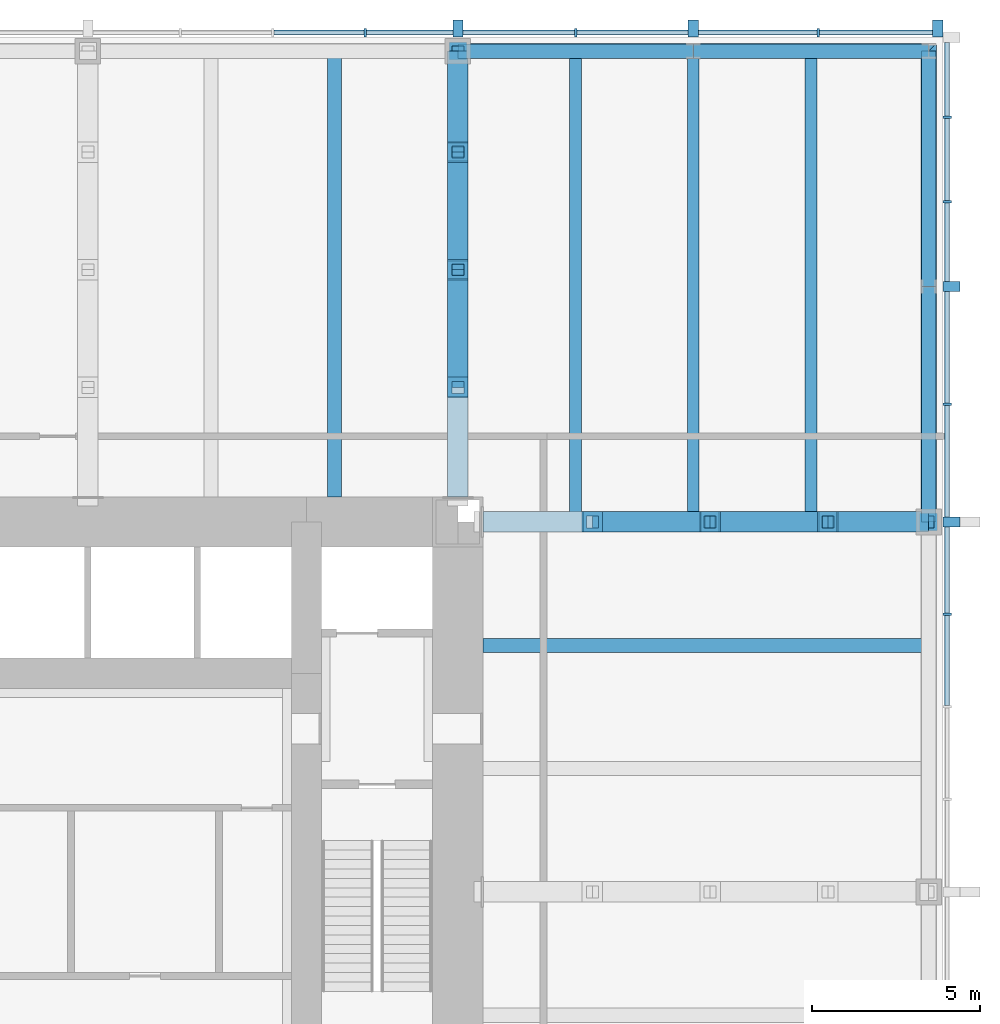
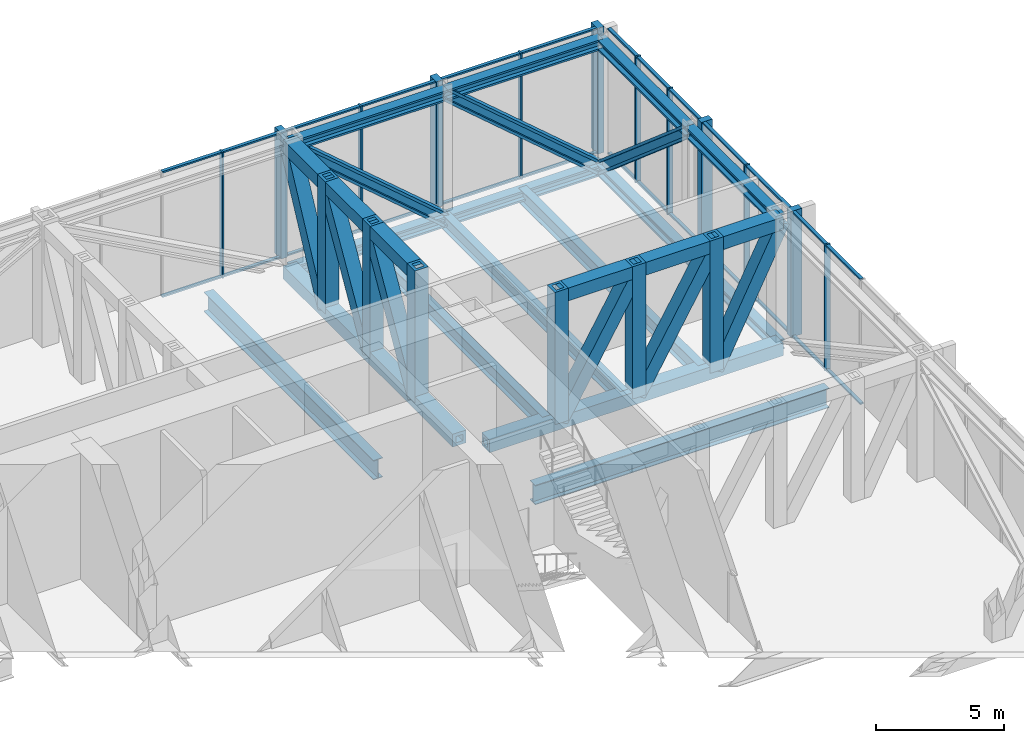
# One storey, part 9 of 13: 54 members, 21 beams, 2 elements without a shape of their own.
"""IFC4 building model written with IfcOpenShell, lengths in metres."""

from ifc_helpers import new_model, si_unit, direction, frame, origin, origin_2d, place, context, subcontext, project, spatial, rectangle, hollow_rectangle, i_section, extrude, material, material_profile, profile_set, type_object, element, aggregate, save


model = new_model("IFC4")

# Units and contexts
model_context = context("Model", 3, precision=1e-05, world=origin(), true_north=direction((0.0, 1.0)))
body_context = subcontext(model_context, "Body", "Model", "MODEL_VIEW")
ifc_project = project(units=[si_unit("LENGTHUNIT", "METRE"), si_unit("AREAUNIT", "SQUARE_METRE"), si_unit("VOLUMEUNIT", "CUBIC_METRE"), si_unit("PLANEANGLEUNIT", "RADIAN"), si_unit("MASSUNIT", "GRAM", prefix="KILO")], contexts=[model_context])

# Site, building, storey
site_placement = place(None, origin())
site = spatial("IfcSite", under=ifc_project, at=site_placement, CompositionType="ELEMENT")
building_placement = place(site_placement, origin())
building = spatial("IfcBuilding", under=site, at=building_placement, Name="Trevanion Tower", CompositionType="ELEMENT")
storey_placement = place(building_placement, frame((0.0, 0.0, 89.800048828125)))
storey = spatial("IfcBuildingStorey", under=building, at=storey_placement, Name="L21", CompositionType="ELEMENT", Elevation=89.800048828125)

# Beams
ifc_material_1 = material(Name="Steel ASTM A992 Grade 50", Category="steel")
ifc_material_profile_1 = material_profile(ifc_material_1, i_section(OverallWidth=0.419189453125, OverallDepth=0.927001953125, WebThickness=0.019287109375, FlangeThickness=0.031982421875, at=origin_2d()), Name="W36X231")
ifc_profile_set_1 = profile_set([ifc_material_profile_1], Name="Steel ASTM A992 Grade 50")
beam_type_1 = type_object("IfcBeamType", Name="B5 W36X231", PredefinedType="BEAM", material=ifc_profile_set_1)
for number, where, z_axis, x_axis, name in (
    (1, (11.75, 7.333251953125, -0.653564453125), (1.0, 0.0, 0.0), (0.0, 1.0, 0.0), "B5 L21"),
    (2, (7.333251953125, 11.75, -0.653564453125), (0.0, 1.0, 0.0), (-1.0, 0.0, 0.0), "B5 L21"),
):
    element("IfcBeam", number, at=place(storey_placement, frame(where, z_axis=z_axis, x_axis=x_axis)), inside=storey, type_object=beam_type_1, Name=name, PredefinedType="BEAM", context=body_context, shape_type="SweptSolid", body=[
        extrude(i_section(OverallWidth=0.419189453125, OverallDepth=0.927001953125, WebThickness=0.019287109375, FlangeThickness=0.031982421875, at=origin_2d()), origin(), (0.0, 0.0, 1.0), 13.25),
    ])
ifc_material_2 = material(Name="Steel ASTM A992 Grade 50", Category="steel")
ifc_material_profile_2 = material_profile(ifc_material_2, i_section(OverallWidth=0.355712890625, OverallDepth=0.696044921875, WebThickness=0.015380859375, FlangeThickness=0.024658203125, at=origin_2d()), Name="W27X146")
ifc_profile_set_2 = profile_set([ifc_material_profile_2], Name="Steel ASTM A992 Grade 50")
beam_type_2 = type_object("IfcBeamType", Name="B6 W27X146", PredefinedType="BEAM", material=ifc_profile_set_2)
for number, where, z_axis, x_axis, name in (
    (3, (14.5, 11.0, -0.5380859375), (0.0, 1.0, 0.0), (-1.0, 0.0, 0.0), "B6 L21"),
    (4, (18.0, 11.0, -0.5380859375), (0.0, 1.0, 0.0), (-1.0, 0.0, 0.0), "B6 L21"),
    (5, (21.5, 11.0, -0.5380859375), (0.0, 1.0, 0.0), (-1.0, 0.0, 0.0), "B6 L21"),
):
    element("IfcBeam", number, at=place(storey_placement, frame(where, z_axis=z_axis, x_axis=x_axis)), inside=storey, type_object=beam_type_2, Name=name, PredefinedType="BEAM", context=body_context, shape_type="SweptSolid", body=[
        extrude(i_section(OverallWidth=0.355712890625, OverallDepth=0.696044921875, WebThickness=0.015380859375, FlangeThickness=0.024658203125, at=origin_2d()), origin(), (0.0, 0.0, 1.0), 14.0),
    ])
ifc_material_3 = material(Name="Steel ASTM A992 Grade 50", Category="steel")
ifc_material_profile_3 = material_profile(ifc_material_3, i_section(OverallWidth=0.431884765625, OverallDepth=0.497802734375, WebThickness=0.0556640625, FlangeThickness=0.0888671875, at=origin_2d()), Name="W14X500")
ifc_profile_set_3 = profile_set([ifc_material_profile_3], Name="Steel ASTM A992 Grade 50")
beam_type_3 = type_object("IfcBeamType", Name="BT1-CH W14X500", PredefinedType="BEAM", material=ifc_profile_set_3)
for number, where, z_axis, x_axis, name in (
    (6, (25.0, 11.0, -0.494873046875), (0.0, 1.0, 0.0), (-1.0, 0.0, 0.0), "BT1 belt truss chord"),
    (7, (25.0, 11.0, 5.505126953125), (0.0, 1.0, 0.0), (-1.0, 0.0, 0.0), "BT1 belt truss chord"),
    (8, (25.0, 18.0, -0.494873046875), (0.0, 1.0, 0.0), (-1.0, 0.0, 0.0), "BT1 belt truss chord"),
    (9, (25.0, 18.0, 5.505126953125), (0.0, 1.0, 0.0), (-1.0, 0.0, 0.0), "BT1 belt truss chord"),
    (10, (25.0, 25.0, -0.494873046875), (-1.0, 0.0, 0.0), (0.0, -1.0, 0.0), "BT1 belt truss chord"),
    (11, (25.0, 25.0, 5.505126953125), (-1.0, 0.0, 0.0), (0.0, -1.0, 0.0), "BT1 belt truss chord"),
    (12, (18.0, 25.0, -0.494873046875), (-1.0, 0.0, 0.0), (0.0, -1.0, 0.0), "BT1 belt truss chord"),
    (13, (18.0, 25.0, 5.505126953125), (-1.0, 0.0, 0.0), (0.0, -1.0, 0.0), "BT1 belt truss chord"),
):
    element("IfcBeam", number, at=place(storey_placement, frame(where, z_axis=z_axis, x_axis=x_axis)), inside=storey, type_object=beam_type_3, Name=name, PredefinedType="BEAM", context=body_context, shape_type="SweptSolid", body=[
        extrude(i_section(OverallWidth=0.431884765625, OverallDepth=0.497802734375, WebThickness=0.0556640625, FlangeThickness=0.0888671875, at=origin_2d()), origin(), (0.0, 0.0, 1.0), 7.0),
    ])

# Members
ifc_material_4 = material(Name="Steel ASTM A992 Grade 50", Category="steel")
ifc_material_profile_4 = material_profile(ifc_material_4, i_section(OverallWidth=0.449462890625, OverallDepth=0.548583984375, WebThickness=0.07177734375, FlangeThickness=0.11474609375, at=origin_2d()), Name="W14X665")
ifc_profile_set_4 = profile_set([ifc_material_profile_4], Name="Steel ASTM A992 Grade 50")
member_type_1 = type_object("IfcMemberType", Name="BT1-D W14X665", PredefinedType="BRACE", material=ifc_profile_set_4)
for number, where, z_axis, x_axis, name in (
    (14, (25.0, 18.0, -0.494873046875), (0.0, -0.759256602365, 0.650791373456), (1.0, 0.0, 0.0), "BT1 belt truss diagonal"),
    (15, (25.0, 25.0, -0.494873046875), (0.0, -0.759256602365, 0.650791373456), (1.0, 0.0, 0.0), "BT1 belt truss diagonal"),
    (16, (25.0, 25.0, -0.494873046875), (-0.759256602365, 0.0, 0.650791373456), (0.0, -1.0, 0.0), "BT1 belt truss diagonal"),
    (17, (18.0, 25.0, -0.494873046875), (-0.759256602365, 0.0, 0.650791373456), (0.0, -1.0, 0.0), "BT1 belt truss diagonal"),
):
    element("IfcMember", number, at=place(storey_placement, frame(where, z_axis=z_axis, x_axis=x_axis)), inside=storey, type_object=member_type_1, Name=name, PredefinedType="BRACE", context=body_context, shape_type="SweptSolid", body=[
        extrude(i_section(OverallWidth=0.449462890625, OverallDepth=0.548583984375, WebThickness=0.07177734375, FlangeThickness=0.11474609375, at=origin_2d()), origin(), (0.0, 0.0, 1.0), 9.219482421875),
    ])

# Curtain wall, members
ifc_material_5 = material(Name="Aluminium louvres", Category="aluminium")
curtain_wall_type = type_object("IfcCurtainWallType", Name="CWL curtain wall", PredefinedType="USERDEFINED", material=ifc_material_5)
curtain_wall_1_placement = place(storey_placement, origin())
curtain_wall_1 = element("IfcCurtainWall", 18, at=curtain_wall_1_placement, inside=storey, type_object=curtain_wall_type, Name="CWL L21 0", ObjectType="LOUVRE SCREEN", PredefinedType="USERDEFINED")
ifc_material_6 = material(Name="Aluminium extrusion, anodised bronze", Category="aluminium")
ifc_material_profile_5 = material_profile(ifc_material_6, rectangle(XDim=0.074951171875, YDim=0.25, at=origin_2d()), Name="CWL mullion")
ifc_profile_set_5 = profile_set([ifc_material_profile_5], Name="Aluminium extrusion, anodised bronze")
member_type_2 = type_object("IfcMemberType", Name="CWL mullion", PredefinedType="MULLION", material=ifc_profile_set_5)
member_1_placement = place(storey_placement, frame((25.550048828125, 8.25, -0.18994140625), z_axis=(0.0, 0.0, 1.0), x_axis=(0.0, 1.0, 0.0)))
member_1 = element("IfcMember", 19, at=member_1_placement, type_object=member_type_2, Name="CWL mullion 12", PredefinedType="MULLION", context=body_context, shape_type="SweptSolid", body=[
    extrude(rectangle(XDim=0.074951171875, YDim=0.25, at=origin_2d()), origin(), (0.0, 0.0, 1.0), 6.0),
])
member_2_placement = place(storey_placement, frame((25.550048828125, 14.5, -0.18994140625), z_axis=(0.0, 0.0, 1.0), x_axis=(0.0, 1.0, 0.0)))
member_2 = element("IfcMember", 20, at=member_2_placement, type_object=member_type_2, Name="CWL mullion 14", PredefinedType="MULLION", context=body_context, shape_type="SweptSolid", body=[
    extrude(rectangle(XDim=0.074951171875, YDim=0.25, at=origin_2d()), origin(), (0.0, 0.0, 1.0), 6.0),
])
member_3_placement = place(storey_placement, frame((25.550048828125, 20.5166015625, -0.18994140625), z_axis=(0.0, 0.0, 1.0), x_axis=(0.0, 1.0, 0.0)))
member_3 = element("IfcMember", 21, at=member_3_placement, type_object=member_type_2, Name="CWL mullion 16", PredefinedType="MULLION", context=body_context, shape_type="SweptSolid", body=[
    extrude(rectangle(XDim=0.074951171875, YDim=0.25, at=origin_2d()), origin(), (0.0, 0.0, 1.0), 6.0),
])
member_4_placement = place(storey_placement, frame((25.550048828125, 23.033203125, -0.18994140625), z_axis=(0.0, 0.0, 1.0), x_axis=(0.0, 1.0, 0.0)))
member_4 = element("IfcMember", 22, at=member_4_placement, type_object=member_type_2, Name="CWL mullion 17", PredefinedType="MULLION", context=body_context, shape_type="SweptSolid", body=[
    extrude(rectangle(XDim=0.074951171875, YDim=0.25, at=origin_2d()), origin(), (0.0, 0.0, 1.0), 6.0),
])

curtain_wall_2_placement = place(storey_placement, origin())
curtain_wall_2 = element("IfcCurtainWall", 23, at=curtain_wall_2_placement, inside=storey, type_object=curtain_wall_type, Name="CWL L21 1", ObjectType="LOUVRE SCREEN", PredefinedType="USERDEFINED")
member_5_placement = place(storey_placement, frame((21.7099609375, 25.550048828125, -0.18994140625), z_axis=(0.0, 0.0, 1.0), x_axis=(-1.0, 0.0, 0.0)))
member_5 = element("IfcMember", 24, at=member_5_placement, type_object=member_type_2, Name="CWL mullion 2", PredefinedType="MULLION", context=body_context, shape_type="SweptSolid", body=[
    extrude(rectangle(XDim=0.074951171875, YDim=0.25, at=origin_2d()), origin(), (0.0, 0.0, 1.0), 6.0),
])
member_6_placement = place(storey_placement, frame((14.5, 25.550048828125, -0.18994140625), z_axis=(0.0, 0.0, 1.0), x_axis=(-1.0, 0.0, 0.0)))
member_6 = element("IfcMember", 25, at=member_6_placement, type_object=member_type_2, Name="CWL mullion 4", PredefinedType="MULLION", context=body_context, shape_type="SweptSolid", body=[
    extrude(rectangle(XDim=0.074951171875, YDim=0.25, at=origin_2d()), origin(), (0.0, 0.0, 1.0), 6.0),
])
member_7_placement = place(storey_placement, frame((8.25, 25.550048828125, -0.18994140625), z_axis=(0.0, 0.0, 1.0), x_axis=(-1.0, 0.0, 0.0)))
member_7 = element("IfcMember", 26, at=member_7_placement, type_object=member_type_2, Name="CWL mullion 6", PredefinedType="MULLION", context=body_context, shape_type="SweptSolid", body=[
    extrude(rectangle(XDim=0.074951171875, YDim=0.25, at=origin_2d()), origin(), (0.0, 0.0, 1.0), 6.0),
])

# Member
ifc_material_7 = material(Name="Aluminium extrusion, anodised bronze", Category="aluminium")
ifc_material_profile_6 = material_profile(ifc_material_7, rectangle(XDim=0.300048828125, YDim=0.5, at=origin_2d()), Name="CWL pier mullion")
ifc_profile_set_6 = profile_set([ifc_material_profile_6], Name="Aluminium extrusion, anodised bronze")
member_type_3 = type_object("IfcMemberType", Name="CWL pier mullion", PredefinedType="MULLION", material=ifc_profile_set_6)
member_8_placement = place(storey_placement, frame((25.675048828125, 11.0, -0.18994140625), z_axis=(0.0, 0.0, 1.0), x_axis=(0.0, 1.0, 0.0)))
member_8 = element("IfcMember", 27, at=member_8_placement, type_object=member_type_3, Name="CWL pier mullion 13", PredefinedType="MULLION", context=body_context, shape_type="SweptSolid", body=[
    extrude(rectangle(XDim=0.300048828125, YDim=0.5, at=origin_2d()), origin(), (0.0, 0.0, 1.0), 6.0),
])

member_9_placement = place(storey_placement, frame((25.675048828125, 18.0, -0.18994140625), z_axis=(0.0, 0.0, 1.0), x_axis=(0.0, 1.0, 0.0)))
member_9 = element("IfcMember", 28, at=member_9_placement, type_object=member_type_3, Name="CWL pier mullion 15", PredefinedType="MULLION", context=body_context, shape_type="SweptSolid", body=[
    extrude(rectangle(XDim=0.300048828125, YDim=0.5, at=origin_2d()), origin(), (0.0, 0.0, 1.0), 6.0),
])

member_10_placement = place(storey_placement, frame((25.27001953125, 25.675048828125, -0.18994140625), z_axis=(0.0, 0.0, 1.0), x_axis=(-1.0, 0.0, 0.0)))
member_10 = element("IfcMember", 29, at=member_10_placement, type_object=member_type_3, Name="CWL pier mullion 1", PredefinedType="MULLION", context=body_context, shape_type="SweptSolid", body=[
    extrude(rectangle(XDim=0.300048828125, YDim=0.5, at=origin_2d()), origin(), (0.0, 0.0, 1.0), 6.0),
])

member_11_placement = place(storey_placement, frame((18.0, 25.675048828125, -0.18994140625), z_axis=(0.0, 0.0, 1.0), x_axis=(-1.0, 0.0, 0.0)))
member_11 = element("IfcMember", 30, at=member_11_placement, type_object=member_type_3, Name="CWL pier mullion 3", PredefinedType="MULLION", context=body_context, shape_type="SweptSolid", body=[
    extrude(rectangle(XDim=0.300048828125, YDim=0.5, at=origin_2d()), origin(), (0.0, 0.0, 1.0), 6.0),
])

member_12_placement = place(storey_placement, frame((11.0, 25.675048828125, -0.18994140625), z_axis=(0.0, 0.0, 1.0), x_axis=(-1.0, 0.0, 0.0)))
member_12 = element("IfcMember", 31, at=member_12_placement, type_object=member_type_3, Name="CWL pier mullion 5", PredefinedType="MULLION", context=body_context, shape_type="SweptSolid", body=[
    extrude(rectangle(XDim=0.300048828125, YDim=0.5, at=origin_2d()), origin(), (0.0, 0.0, 1.0), 6.0),
])

ifc_material_8 = material(Name="Aluminium extrusion, anodised bronze", Category="aluminium")
ifc_material_profile_7 = material_profile(ifc_material_8, rectangle(XDim=0.14990234375, YDim=0.074951171875, at=origin_2d()), Name="CWL transom")
ifc_profile_set_7 = profile_set([ifc_material_profile_7], Name="Aluminium extrusion, anodised bronze")
member_type_4 = type_object("IfcMemberType", Name="CWL transom", PredefinedType="USERDEFINED", material=ifc_profile_set_7)
member_13_placement = place(storey_placement, frame((25.550048828125, 5.53759765625, -0.152587890625), z_axis=(0.0, 1.0, 0.0), x_axis=(-1.0, 0.0, 0.0)))
member_13 = element("IfcMember", 32, at=member_13_placement, type_object=member_type_4, Name="CWL transom 11.1", ObjectType="TRANSOM", PredefinedType="USERDEFINED", context=body_context, shape_type="SweptSolid", body=[
    extrude(rectangle(XDim=0.14990234375, YDim=0.074951171875, at=origin_2d()), origin(), (0.0, 0.0, 1.0), 2.6748046875),
])

member_14_placement = place(storey_placement, frame((25.550048828125, 5.53759765625, 5.7724609375), z_axis=(0.0, 1.0, 0.0), x_axis=(-1.0, 0.0, 0.0)))
member_14 = element("IfcMember", 33, at=member_14_placement, type_object=member_type_4, Name="CWL transom 11.2", ObjectType="TRANSOM", PredefinedType="USERDEFINED", context=body_context, shape_type="SweptSolid", body=[
    extrude(rectangle(XDim=0.14990234375, YDim=0.074951171875, at=origin_2d()), origin(), (0.0, 0.0, 1.0), 2.6748046875),
])

member_15_placement = place(storey_placement, frame((25.550048828125, 8.28759765625, -0.152587890625), z_axis=(0.0, 1.0, 0.0), x_axis=(-1.0, 0.0, 0.0)))
member_15 = element("IfcMember", 34, at=member_15_placement, type_object=member_type_4, Name="CWL transom 12.1", ObjectType="TRANSOM", PredefinedType="USERDEFINED", context=body_context, shape_type="SweptSolid", body=[
    extrude(rectangle(XDim=0.14990234375, YDim=0.074951171875, at=origin_2d()), origin(), (0.0, 0.0, 1.0), 2.5625),
])

member_16_placement = place(storey_placement, frame((25.550048828125, 8.28759765625, 5.7724609375), z_axis=(0.0, 1.0, 0.0), x_axis=(-1.0, 0.0, 0.0)))
member_16 = element("IfcMember", 35, at=member_16_placement, type_object=member_type_4, Name="CWL transom 12.2", ObjectType="TRANSOM", PredefinedType="USERDEFINED", context=body_context, shape_type="SweptSolid", body=[
    extrude(rectangle(XDim=0.14990234375, YDim=0.074951171875, at=origin_2d()), origin(), (0.0, 0.0, 1.0), 2.5625),
])

member_17_placement = place(storey_placement, frame((25.550048828125, 11.14990234375, -0.152587890625), z_axis=(0.0, 1.0, 0.0), x_axis=(-1.0, 0.0, 0.0)))
member_17 = element("IfcMember", 36, at=member_17_placement, type_object=member_type_4, Name="CWL transom 13.1", ObjectType="TRANSOM", PredefinedType="USERDEFINED", context=body_context, shape_type="SweptSolid", body=[
    extrude(rectangle(XDim=0.14990234375, YDim=0.074951171875, at=origin_2d()), origin(), (0.0, 0.0, 1.0), 3.3125),
])

member_18_placement = place(storey_placement, frame((25.550048828125, 11.14990234375, 5.7724609375), z_axis=(0.0, 1.0, 0.0), x_axis=(-1.0, 0.0, 0.0)))
member_18 = element("IfcMember", 37, at=member_18_placement, type_object=member_type_4, Name="CWL transom 13.2", ObjectType="TRANSOM", PredefinedType="USERDEFINED", context=body_context, shape_type="SweptSolid", body=[
    extrude(rectangle(XDim=0.14990234375, YDim=0.074951171875, at=origin_2d()), origin(), (0.0, 0.0, 1.0), 3.3125),
])

member_19_placement = place(storey_placement, frame((25.550048828125, 14.53759765625, -0.152587890625), z_axis=(0.0, 1.0, 0.0), x_axis=(-1.0, 0.0, 0.0)))
member_19 = element("IfcMember", 38, at=member_19_placement, type_object=member_type_4, Name="CWL transom 14.1", ObjectType="TRANSOM", PredefinedType="USERDEFINED", context=body_context, shape_type="SweptSolid", body=[
    extrude(rectangle(XDim=0.14990234375, YDim=0.074951171875, at=origin_2d()), origin(), (0.0, 0.0, 1.0), 3.3125),
])

member_20_placement = place(storey_placement, frame((25.550048828125, 14.53759765625, 5.7724609375), z_axis=(0.0, 1.0, 0.0), x_axis=(-1.0, 0.0, 0.0)))
member_20 = element("IfcMember", 39, at=member_20_placement, type_object=member_type_4, Name="CWL transom 14.2", ObjectType="TRANSOM", PredefinedType="USERDEFINED", context=body_context, shape_type="SweptSolid", body=[
    extrude(rectangle(XDim=0.14990234375, YDim=0.074951171875, at=origin_2d()), origin(), (0.0, 0.0, 1.0), 3.3125),
])

member_21_placement = place(storey_placement, frame((25.550048828125, 18.14990234375, -0.152587890625), z_axis=(0.0, 1.0, 0.0), x_axis=(-1.0, 0.0, 0.0)))
member_21 = element("IfcMember", 40, at=member_21_placement, type_object=member_type_4, Name="CWL transom 15.1", ObjectType="TRANSOM", PredefinedType="USERDEFINED", context=body_context, shape_type="SweptSolid", body=[
    extrude(rectangle(XDim=0.14990234375, YDim=0.074951171875, at=origin_2d()), origin(), (0.0, 0.0, 1.0), 2.329345703125),
])

member_22_placement = place(storey_placement, frame((25.550048828125, 18.14990234375, 5.7724609375), z_axis=(0.0, 1.0, 0.0), x_axis=(-1.0, 0.0, 0.0)))
member_22 = element("IfcMember", 41, at=member_22_placement, type_object=member_type_4, Name="CWL transom 15.2", ObjectType="TRANSOM", PredefinedType="USERDEFINED", context=body_context, shape_type="SweptSolid", body=[
    extrude(rectangle(XDim=0.14990234375, YDim=0.074951171875, at=origin_2d()), origin(), (0.0, 0.0, 1.0), 2.329345703125),
])

member_23_placement = place(storey_placement, frame((25.550048828125, 20.55419921875, -0.152587890625), z_axis=(0.0, 1.0, 0.0), x_axis=(-1.0, 0.0, 0.0)))
member_23 = element("IfcMember", 42, at=member_23_placement, type_object=member_type_4, Name="CWL transom 16.1", ObjectType="TRANSOM", PredefinedType="USERDEFINED", context=body_context, shape_type="SweptSolid", body=[
    extrude(rectangle(XDim=0.14990234375, YDim=0.074951171875, at=origin_2d()), origin(), (0.0, 0.0, 1.0), 2.441650390625),
])

member_24_placement = place(storey_placement, frame((25.550048828125, 20.55419921875, 5.7724609375), z_axis=(0.0, 1.0, 0.0), x_axis=(-1.0, 0.0, 0.0)))
member_24 = element("IfcMember", 43, at=member_24_placement, type_object=member_type_4, Name="CWL transom 16.2", ObjectType="TRANSOM", PredefinedType="USERDEFINED", context=body_context, shape_type="SweptSolid", body=[
    extrude(rectangle(XDim=0.14990234375, YDim=0.074951171875, at=origin_2d()), origin(), (0.0, 0.0, 1.0), 2.441650390625),
])

member_25_placement = place(storey_placement, frame((25.550048828125, 23.07080078125, -0.152587890625), z_axis=(0.0, 1.0, 0.0), x_axis=(-1.0, 0.0, 0.0)))
member_25 = element("IfcMember", 44, at=member_25_placement, type_object=member_type_4, Name="CWL transom 17.1", ObjectType="TRANSOM", PredefinedType="USERDEFINED", context=body_context, shape_type="SweptSolid", body=[
    extrude(rectangle(XDim=0.14990234375, YDim=0.074951171875, at=origin_2d()), origin(), (0.0, 0.0, 1.0), 2.17919921875),
])

member_26_placement = place(storey_placement, frame((25.550048828125, 23.07080078125, 5.7724609375), z_axis=(0.0, 1.0, 0.0), x_axis=(-1.0, 0.0, 0.0)))
member_26 = element("IfcMember", 45, at=member_26_placement, type_object=member_type_4, Name="CWL transom 17.2", ObjectType="TRANSOM", PredefinedType="USERDEFINED", context=body_context, shape_type="SweptSolid", body=[
    extrude(rectangle(XDim=0.14990234375, YDim=0.074951171875, at=origin_2d()), origin(), (0.0, 0.0, 1.0), 2.17919921875),
])

aggregate(curtain_wall_1, [member_1, member_8, member_2, member_9, member_3, member_4, member_13, member_14, member_15, member_16, member_17, member_18, member_19, member_20, member_21, member_22, member_23, member_24, member_25, member_26])

member_27_placement = place(storey_placement, frame((25.1201171875, 25.550048828125, -0.152587890625), z_axis=(-1.0, 0.0, 0.0), x_axis=(0.0, -1.0, 0.0)))
member_27 = element("IfcMember", 46, at=member_27_placement, type_object=member_type_4, Name="CWL transom 1.1", ObjectType="TRANSOM", PredefinedType="USERDEFINED", context=body_context, shape_type="SweptSolid", body=[
    extrude(rectangle(XDim=0.14990234375, YDim=0.074951171875, at=origin_2d()), origin(), (0.0, 0.0, 1.0), 3.37255859375),
])

member_28_placement = place(storey_placement, frame((25.1201171875, 25.550048828125, 5.7724609375), z_axis=(-1.0, 0.0, 0.0), x_axis=(0.0, -1.0, 0.0)))
member_28 = element("IfcMember", 47, at=member_28_placement, type_object=member_type_4, Name="CWL transom 1.2", ObjectType="TRANSOM", PredefinedType="USERDEFINED", context=body_context, shape_type="SweptSolid", body=[
    extrude(rectangle(XDim=0.14990234375, YDim=0.074951171875, at=origin_2d()), origin(), (0.0, 0.0, 1.0), 3.37255859375),
])

member_29_placement = place(storey_placement, frame((21.672607421875, 25.550048828125, -0.152587890625), z_axis=(-1.0, 0.0, 0.0), x_axis=(0.0, -1.0, 0.0)))
member_29 = element("IfcMember", 48, at=member_29_placement, type_object=member_type_4, Name="CWL transom 2.1", ObjectType="TRANSOM", PredefinedType="USERDEFINED", context=body_context, shape_type="SweptSolid", body=[
    extrude(rectangle(XDim=0.14990234375, YDim=0.074951171875, at=origin_2d()), origin(), (0.0, 0.0, 1.0), 3.522705078125),
])

member_30_placement = place(storey_placement, frame((21.672607421875, 25.550048828125, 5.7724609375), z_axis=(-1.0, 0.0, 0.0), x_axis=(0.0, -1.0, 0.0)))
member_30 = element("IfcMember", 49, at=member_30_placement, type_object=member_type_4, Name="CWL transom 2.2", ObjectType="TRANSOM", PredefinedType="USERDEFINED", context=body_context, shape_type="SweptSolid", body=[
    extrude(rectangle(XDim=0.14990234375, YDim=0.074951171875, at=origin_2d()), origin(), (0.0, 0.0, 1.0), 3.522705078125),
])

member_31_placement = place(storey_placement, frame((17.85009765625, 25.550048828125, -0.152587890625), z_axis=(-1.0, 0.0, 0.0), x_axis=(0.0, -1.0, 0.0)))
member_31 = element("IfcMember", 50, at=member_31_placement, type_object=member_type_4, Name="CWL transom 3.1", ObjectType="TRANSOM", PredefinedType="USERDEFINED", context=body_context, shape_type="SweptSolid", body=[
    extrude(rectangle(XDim=0.14990234375, YDim=0.074951171875, at=origin_2d()), origin(), (0.0, 0.0, 1.0), 3.3125),
])

member_32_placement = place(storey_placement, frame((17.85009765625, 25.550048828125, 5.7724609375), z_axis=(-1.0, 0.0, 0.0), x_axis=(0.0, -1.0, 0.0)))
member_32 = element("IfcMember", 51, at=member_32_placement, type_object=member_type_4, Name="CWL transom 3.2", ObjectType="TRANSOM", PredefinedType="USERDEFINED", context=body_context, shape_type="SweptSolid", body=[
    extrude(rectangle(XDim=0.14990234375, YDim=0.074951171875, at=origin_2d()), origin(), (0.0, 0.0, 1.0), 3.3125),
])

member_33_placement = place(storey_placement, frame((14.46240234375, 25.550048828125, -0.152587890625), z_axis=(-1.0, 0.0, 0.0), x_axis=(0.0, -1.0, 0.0)))
member_33 = element("IfcMember", 52, at=member_33_placement, type_object=member_type_4, Name="CWL transom 4.1", ObjectType="TRANSOM", PredefinedType="USERDEFINED", context=body_context, shape_type="SweptSolid", body=[
    extrude(rectangle(XDim=0.14990234375, YDim=0.074951171875, at=origin_2d()), origin(), (0.0, 0.0, 1.0), 3.3125),
])

member_34_placement = place(storey_placement, frame((14.46240234375, 25.550048828125, 5.7724609375), z_axis=(-1.0, 0.0, 0.0), x_axis=(0.0, -1.0, 0.0)))
member_34 = element("IfcMember", 53, at=member_34_placement, type_object=member_type_4, Name="CWL transom 4.2", ObjectType="TRANSOM", PredefinedType="USERDEFINED", context=body_context, shape_type="SweptSolid", body=[
    extrude(rectangle(XDim=0.14990234375, YDim=0.074951171875, at=origin_2d()), origin(), (0.0, 0.0, 1.0), 3.3125),
])

member_35_placement = place(storey_placement, frame((10.85009765625, 25.550048828125, -0.152587890625), z_axis=(-1.0, 0.0, 0.0), x_axis=(0.0, -1.0, 0.0)))
member_35 = element("IfcMember", 54, at=member_35_placement, type_object=member_type_4, Name="CWL transom 5.1", ObjectType="TRANSOM", PredefinedType="USERDEFINED", context=body_context, shape_type="SweptSolid", body=[
    extrude(rectangle(XDim=0.14990234375, YDim=0.074951171875, at=origin_2d()), origin(), (0.0, 0.0, 1.0), 2.5625),
])

member_36_placement = place(storey_placement, frame((10.85009765625, 25.550048828125, 5.7724609375), z_axis=(-1.0, 0.0, 0.0), x_axis=(0.0, -1.0, 0.0)))
member_36 = element("IfcMember", 55, at=member_36_placement, type_object=member_type_4, Name="CWL transom 5.2", ObjectType="TRANSOM", PredefinedType="USERDEFINED", context=body_context, shape_type="SweptSolid", body=[
    extrude(rectangle(XDim=0.14990234375, YDim=0.074951171875, at=origin_2d()), origin(), (0.0, 0.0, 1.0), 2.5625),
])

member_37_placement = place(storey_placement, frame((8.21240234375, 25.550048828125, -0.152587890625), z_axis=(-1.0, 0.0, 0.0), x_axis=(0.0, -1.0, 0.0)))
member_37 = element("IfcMember", 56, at=member_37_placement, type_object=member_type_4, Name="CWL transom 6.1", ObjectType="TRANSOM", PredefinedType="USERDEFINED", context=body_context, shape_type="SweptSolid", body=[
    extrude(rectangle(XDim=0.14990234375, YDim=0.074951171875, at=origin_2d()), origin(), (0.0, 0.0, 1.0), 2.6748046875),
])

member_38_placement = place(storey_placement, frame((8.21240234375, 25.550048828125, 5.7724609375), z_axis=(-1.0, 0.0, 0.0), x_axis=(0.0, -1.0, 0.0)))
member_38 = element("IfcMember", 57, at=member_38_placement, type_object=member_type_4, Name="CWL transom 6.2", ObjectType="TRANSOM", PredefinedType="USERDEFINED", context=body_context, shape_type="SweptSolid", body=[
    extrude(rectangle(XDim=0.14990234375, YDim=0.074951171875, at=origin_2d()), origin(), (0.0, 0.0, 1.0), 2.6748046875),
])

aggregate(curtain_wall_2, [member_10, member_5, member_11, member_6, member_12, member_7, member_27, member_28, member_29, member_30, member_31, member_32, member_33, member_34, member_35, member_36, member_37, member_38])

# Beams
ifc_material_9 = material(Name="Steel ASTM A588 Grade 50", Category="steel")
ifc_material_profile_8 = material_profile(ifc_material_9, hollow_rectangle(XDim=0.609619140625, YDim=0.609619140625, WallThickness=0.15234375, at=origin_2d()), Name="BOX24X24X6")
ifc_profile_set_8 = profile_set([ifc_material_profile_8], Name="Steel ASTM A588 Grade 50")
beam_type_4 = type_object("IfcBeamType", Name="OT1-CH BOX24X24X6", PredefinedType="BEAM", material=ifc_profile_set_8)
beam_1_placement = place(storey_placement, frame((11.0, 11.75, -0.494873046875), z_axis=(0.0, 1.0, 0.0), x_axis=(-1.0, 0.0, 0.0)))
element("IfcBeam", 58, at=beam_1_placement, inside=storey, type_object=beam_type_4, Name="OT1 12/Q outrigger and transfer truss chord", PredefinedType="BEAM", context=body_context, shape_type="SweptSolid", body=[
    extrude(hollow_rectangle(XDim=0.609619140625, YDim=0.609619140625, WallThickness=0.15234375, at=origin_2d()), origin(), (0.0, 0.0, 1.0), 13.25),
])
for number, where, z_axis, x_axis, name in (
    (59, (11.0, 15.0, 5.505126953125), (0.0, 1.0, 0.0), (-1.0, 0.0, 0.0), "OT1 12/Q outrigger and transfer truss chord"),
    (60, (11.0, 18.5, 5.505126953125), (0.0, 1.0, 0.0), (-1.0, 0.0, 0.0), "OT1 12/Q outrigger and transfer truss chord"),
):
    element("IfcBeam", number, at=place(storey_placement, frame(where, z_axis=z_axis, x_axis=x_axis)), inside=storey, type_object=beam_type_4, Name=name, PredefinedType="BEAM", context=body_context, shape_type="SweptSolid", body=[
        extrude(hollow_rectangle(XDim=0.609619140625, YDim=0.609619140625, WallThickness=0.15234375, at=origin_2d()), origin(), (0.0, 0.0, 1.0), 3.5),
    ])
beam_2_placement = place(storey_placement, frame((11.0, 22.0, 5.505126953125), z_axis=(0.0, 1.0, 0.0), x_axis=(-1.0, 0.0, 0.0)))
element("IfcBeam", 61, at=beam_2_placement, inside=storey, type_object=beam_type_4, Name="OT1 12/Q outrigger and transfer truss chord", PredefinedType="BEAM", context=body_context, shape_type="SweptSolid", body=[
    extrude(hollow_rectangle(XDim=0.609619140625, YDim=0.609619140625, WallThickness=0.15234375, at=origin_2d()), origin(), (0.0, 0.0, 1.0), 3.0),
])
beam_3_placement = place(storey_placement, frame((11.75, 11.0, -0.494873046875), z_axis=(1.0, 0.0, 0.0), x_axis=(0.0, 1.0, 0.0)))
element("IfcBeam", 62, at=beam_3_placement, inside=storey, type_object=beam_type_4, Name="OT1 17/K outrigger and transfer truss chord", PredefinedType="BEAM", context=body_context, shape_type="SweptSolid", body=[
    extrude(hollow_rectangle(XDim=0.609619140625, YDim=0.609619140625, WallThickness=0.15234375, at=origin_2d()), origin(), (0.0, 0.0, 1.0), 13.25),
])
for number, where, z_axis, x_axis, name in (
    (63, (15.0, 11.0, 5.505126953125), (1.0, 0.0, 0.0), (0.0, 1.0, 0.0), "OT1 17/K outrigger and transfer truss chord"),
    (64, (18.5, 11.0, 5.505126953125), (1.0, 0.0, 0.0), (0.0, 1.0, 0.0), "OT1 17/K outrigger and transfer truss chord"),
):
    element("IfcBeam", number, at=place(storey_placement, frame(where, z_axis=z_axis, x_axis=x_axis)), inside=storey, type_object=beam_type_4, Name=name, PredefinedType="BEAM", context=body_context, shape_type="SweptSolid", body=[
        extrude(hollow_rectangle(XDim=0.609619140625, YDim=0.609619140625, WallThickness=0.15234375, at=origin_2d()), origin(), (0.0, 0.0, 1.0), 3.5),
    ])
beam_4_placement = place(storey_placement, frame((22.0, 11.0, 5.505126953125), z_axis=(1.0, 0.0, 0.0), x_axis=(0.0, 1.0, 0.0)))
element("IfcBeam", 65, at=beam_4_placement, inside=storey, type_object=beam_type_4, Name="OT1 17/K outrigger and transfer truss chord", PredefinedType="BEAM", context=body_context, shape_type="SweptSolid", body=[
    extrude(hollow_rectangle(XDim=0.609619140625, YDim=0.609619140625, WallThickness=0.15234375, at=origin_2d()), origin(), (0.0, 0.0, 1.0), 3.0),
])

# Members
ifc_material_10 = material(Name="Steel ASTM A588 Grade 50", Category="steel")
ifc_material_profile_9 = material_profile(ifc_material_10, hollow_rectangle(XDim=0.609619140625, YDim=0.609619140625, WallThickness=0.126953125, at=origin_2d()), Name="BOX24X24X5")
ifc_profile_set_9 = profile_set([ifc_material_profile_9], Name="Steel ASTM A588 Grade 50")
member_type_5 = type_object("IfcMemberType", Name="OT1-D BOX24X24X5", PredefinedType="BRACE", material=ifc_profile_set_9)
for number, where, z_axis, x_axis, name in (
    (66, (11.0, 15.0, -0.494873046875), (0.0, 0.503871025524, 0.863778900898), (-1.0, 0.0, 0.0), "OT1 12/Q outrigger and transfer truss diagonal"),
    (67, (11.0, 18.5, -0.494873046875), (0.0, 0.503871025524, 0.863778900898), (-1.0, 0.0, 0.0), "OT1 12/Q outrigger and transfer truss diagonal"),
):
    element("IfcMember", number, at=place(storey_placement, frame(where, z_axis=z_axis, x_axis=x_axis)), inside=storey, type_object=member_type_5, Name=name, PredefinedType="BRACE", context=body_context, shape_type="SweptSolid", body=[
        extrude(hollow_rectangle(XDim=0.609619140625, YDim=0.609619140625, WallThickness=0.126953125, at=origin_2d()), origin(), (0.0, 0.0, 1.0), 6.9462890625),
    ])
member_39_placement = place(storey_placement, frame((11.0, 22.0, -0.494873046875), z_axis=(0.0, 0.4472135955, 0.894427191), x_axis=(-1.0, 0.0, 0.0)))
element("IfcMember", 68, at=member_39_placement, inside=storey, type_object=member_type_5, Name="OT1 12/Q outrigger and transfer truss diagonal", PredefinedType="BRACE", context=body_context, shape_type="SweptSolid", body=[
    extrude(hollow_rectangle(XDim=0.609619140625, YDim=0.609619140625, WallThickness=0.126953125, at=origin_2d()), origin(), (0.0, 0.0, 1.0), 6.708251953125),
])
for number, where, z_axis, x_axis, name in (
    (69, (15.0, 11.0, -0.494873046875), (0.503871025524, 0.0, 0.863778900898), (0.0, 1.0, 0.0), "OT1 17/K outrigger and transfer truss diagonal"),
    (70, (18.5, 11.0, -0.494873046875), (0.503871025524, 0.0, 0.863778900898), (0.0, 1.0, 0.0), "OT1 17/K outrigger and transfer truss diagonal"),
):
    element("IfcMember", number, at=place(storey_placement, frame(where, z_axis=z_axis, x_axis=x_axis)), inside=storey, type_object=member_type_5, Name=name, PredefinedType="BRACE", context=body_context, shape_type="SweptSolid", body=[
        extrude(hollow_rectangle(XDim=0.609619140625, YDim=0.609619140625, WallThickness=0.126953125, at=origin_2d()), origin(), (0.0, 0.0, 1.0), 6.9462890625),
    ])
member_40_placement = place(storey_placement, frame((22.0, 11.0, -0.494873046875), z_axis=(0.4472135955, 0.0, 0.894427191), x_axis=(0.0, 1.0, 0.0)))
element("IfcMember", 71, at=member_40_placement, inside=storey, type_object=member_type_5, Name="OT1 17/K outrigger and transfer truss diagonal", PredefinedType="BRACE", context=body_context, shape_type="SweptSolid", body=[
    extrude(hollow_rectangle(XDim=0.609619140625, YDim=0.609619140625, WallThickness=0.126953125, at=origin_2d()), origin(), (0.0, 0.0, 1.0), 6.708251953125),
])
ifc_material_11 = material(Name="Steel ASTM A588 Grade 50", Category="steel")
ifc_material_profile_10 = material_profile(ifc_material_11, hollow_rectangle(XDim=0.609619140625, YDim=0.609619140625, WallThickness=0.126953125, at=origin_2d()), Name="BOX24X24X5")
ifc_profile_set_10 = profile_set([ifc_material_profile_10], Name="Steel ASTM A588 Grade 50")
member_type_6 = type_object("IfcMemberType", Name="OT1-V BOX24X24X5", PredefinedType="POST", material=ifc_profile_set_10)
for number, where, z_axis, x_axis, name in (
    (72, (11.0, 15.0, -0.494873046875), (0.0, 0.0, 1.0), (1.0, 0.0, 0.0), "OT1 12/Q outrigger and transfer truss vertical"),
    (73, (11.0, 18.5, -0.494873046875), (0.0, 0.0, 1.0), (1.0, 0.0, 0.0), "OT1 12/Q outrigger and transfer truss vertical"),
    (74, (11.0, 22.0, -0.494873046875), (0.0, 0.0, 1.0), (1.0, 0.0, 0.0), "OT1 12/Q outrigger and transfer truss vertical"),
    (75, (15.0, 11.0, -0.494873046875), (0.0, 0.0, 1.0), (1.0, 0.0, 0.0), "OT1 17/K outrigger and transfer truss vertical"),
    (76, (18.5, 11.0, -0.494873046875), (0.0, 0.0, 1.0), (1.0, 0.0, 0.0), "OT1 17/K outrigger and transfer truss vertical"),
    (77, (22.0, 11.0, -0.494873046875), (0.0, 0.0, 1.0), (1.0, 0.0, 0.0), "OT1 17/K outrigger and transfer truss vertical"),
):
    element("IfcMember", number, at=place(storey_placement, frame(where, z_axis=z_axis, x_axis=x_axis)), inside=storey, type_object=member_type_6, Name=name, PredefinedType="POST", context=body_context, shape_type="SweptSolid", body=[
        extrude(hollow_rectangle(XDim=0.609619140625, YDim=0.609619140625, WallThickness=0.126953125, at=origin_2d()), origin(), (0.0, 0.0, 1.0), 6.304931640625),
    ])

save(model, "model.ifc")
